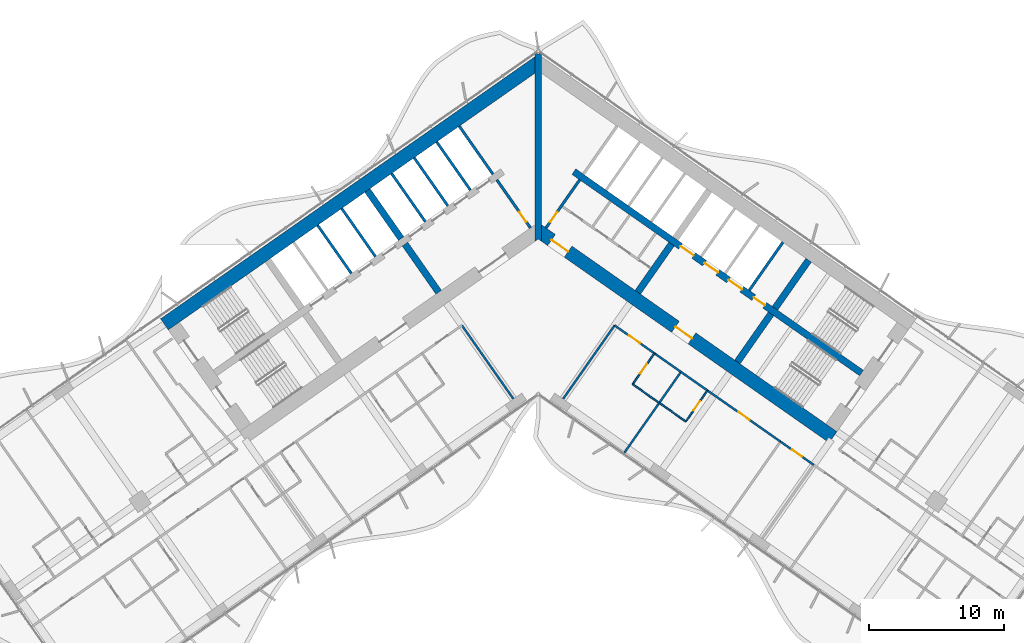
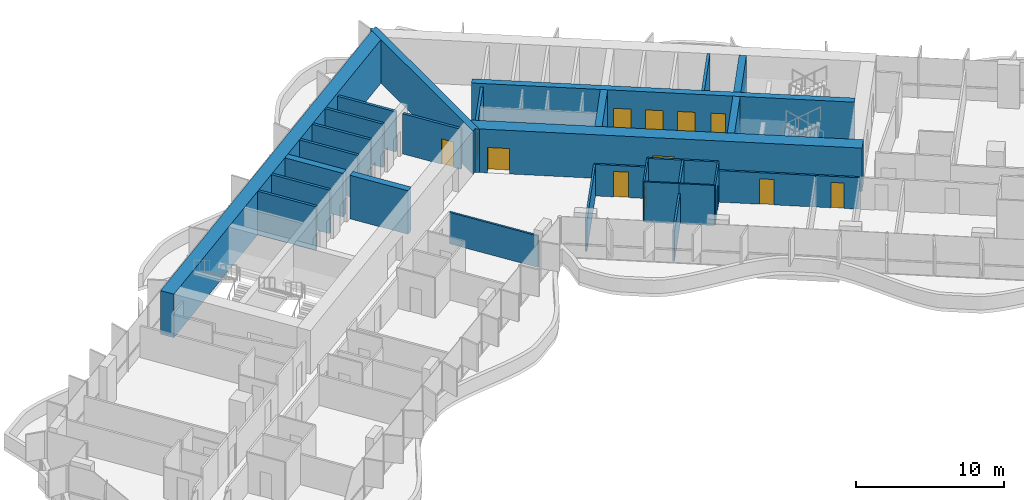
# One storey, part 14 of 23: 31 walls, 13 doors, 13 openings.
"""IFC4 building model written with IfcOpenShell, lengths in metres."""

from ifc_helpers import new_model, si_unit, direction, frame, frame_2d, origin, place, context, subcontext, project, spatial, polyline, rectangle, outline, extrude, material, layer, layer_set, type_object, element, fill, save


model = new_model("IFC4")

# Units and contexts
model_context = context("Model", 3, precision=1e-05, world=origin(), true_north=direction((0.0, 1.0)))
body_context = subcontext(model_context, "Body", "Model", "MODEL_VIEW")
ifc_project = project(units=[si_unit("LENGTHUNIT", "METRE"), si_unit("AREAUNIT", "SQUARE_METRE"), si_unit("VOLUMEUNIT", "CUBIC_METRE"), si_unit("PLANEANGLEUNIT", "RADIAN"), si_unit("MASSUNIT", "GRAM", prefix="KILO")], contexts=[model_context])

# Site, building, storey
site_placement = place(None, origin())
site = spatial("IfcSite", under=ifc_project, at=site_placement, CompositionType="ELEMENT")
building_placement = place(site_placement, origin())
building = spatial("IfcBuilding", under=site, at=building_placement, Name="Tel Ilan Convention Tower", CompositionType="ELEMENT")
storey_placement = place(building_placement, frame((0.0, 0.0, 86.89990234375)))
storey = spatial("IfcBuildingStorey", under=building, at=storey_placement, Name="L17", CompositionType="ELEMENT", Elevation=86.89990234375)

# Wall, opening, door
ifc_material_1 = material(Name="Concrete C30/37", Category="concrete")
ifc_layer_1 = layer(ifc_material_1, 0.199951171875)
ifc_layer_set_1 = layer_set([ifc_layer_1], Name="Core Service Room Wall 200 mm C30/37")
wall_type_1 = type_object("IfcWallType", Name="Core Service Room Wall 200 mm C30/37", PredefinedType="SOLIDWALL", material=ifc_layer_set_1)
wall_1_placement = place(storey_placement, frame((-0.573486328125, -0.401611328125, 0.0), z_axis=(0.0, 0.0, 1.0), x_axis=(-0.57356780395, 0.819158088694, 0.0)))
wall_1 = element("IfcWall", 1, at=wall_1_placement, inside=storey, type_object=wall_type_1, Name="L17 core wall apex-W", PredefinedType="SOLIDWALL", context=body_context, shape_type="SweptSolid", body=[
    extrude(rectangle(XDim=4.35009765625, YDim=0.199951171875, at=frame_2d((2.175048828125, 0.0))), origin(), (0.0, 0.0, 1.0), 3.320068359375),
])
opening_1_placement = place(wall_1_placement, frame((0.550048828125, 0.0, 0.0)))
opening_1 = element("IfcOpeningElement", 2, at=opening_1_placement, cuts=wall_1, Name="Opening CD1502", PredefinedType="OPENING", context=body_context, shape_type="SweptSolid", body=[
    extrude(rectangle(XDim=0.89990234375, YDim=2.10009765625, at=frame_2d((0.449951171875, 1.050048828125))), frame((0.0, 0.10986328125, 0.0), z_axis=(0.0, -1.0, 0.0), x_axis=(1.0, 0.0, 0.0)), (0.0, 0.0, 1.0), 0.219970703125),
])
ifc_material_2 = material(Name="Galvanised Steel Door Leaf", Category="steel")
door_type_1 = type_object("IfcDoorType", Name="Service Room Door 900 x 2100 FD60", OperationType="NOTDEFINED", PredefinedType="DOOR", material=ifc_material_2)
door_1_placement = place(opening_1_placement, origin())
door_1 = element("IfcDoor", 3, at=door_1_placement, inside=storey, type_object=door_type_1, Name="Telecom Room door", OperationType="SINGLE_SWING_RIGHT", OverallHeight=2.10009765625, OverallWidth=0.89990234375, PredefinedType="DOOR", context=body_context, shape_type="SweptSolid", body=[
    extrude(rectangle(XDim=0.89990234375, YDim=2.10009765625, at=frame_2d((0.449951171875, 1.050048828125))), frame((0.0, 0.02490234375, 0.0), z_axis=(0.0, -1.0, 0.0), x_axis=(1.0, 0.0, 0.0)), (0.0, 0.0, 1.0), 0.050048828125),
])
fill(opening_1, door_1)

# Wall
wall_2_placement = place(storey_placement, frame((-3.355224609375, 3.5712890625, 0.0), z_axis=(0.0, 0.0, 1.0), x_axis=(-0.57356780395, 0.819158088694, 0.0)))
element("IfcWall", 4, at=wall_2_placement, inside=storey, type_object=wall_type_1, Name="L17 core wall apex-W-b", PredefinedType="SOLIDWALL", context=body_context, shape_type="SweptSolid", body=[
    extrude(rectangle(XDim=4.35009765625, YDim=0.199951171875, at=frame_2d((2.175048828125, 0.0))), origin(), (0.0, 0.0, 1.0), 3.320068359375),
])

# Wall, opening, door
wall_3_placement = place(storey_placement, frame((0.573486328125, -0.401611328125, 0.0), z_axis=(0.0, 0.0, 1.0), x_axis=(0.57356780395, 0.819158088694, 0.0)))
wall_3 = element("IfcWall", 5, at=wall_3_placement, inside=storey, type_object=wall_type_1, Name="L17 core wall apex-E", PredefinedType="SOLIDWALL", context=body_context, shape_type="SweptSolid", body=[
    extrude(rectangle(XDim=4.35009765625, YDim=0.199951171875, at=frame_2d((2.175048828125, 0.0))), origin(), (0.0, 0.0, 1.0), 3.320068359375),
])
opening_2_placement = place(wall_3_placement, frame((0.550048828125, 0.0, 0.0)))
opening_2 = element("IfcOpeningElement", 6, at=opening_2_placement, cuts=wall_3, Name="Opening CD1501", PredefinedType="OPENING", context=body_context, shape_type="SweptSolid", body=[
    extrude(rectangle(XDim=0.89990234375, YDim=2.10009765625, at=frame_2d((0.449951171875, 1.050048828125))), frame((0.0, 0.10986328125, 0.0), z_axis=(0.0, -1.0, 0.0), x_axis=(1.0, 0.0, 0.0)), (0.0, 0.0, 1.0), 0.219970703125),
])
door_2_placement = place(opening_2_placement, origin())
door_2 = element("IfcDoor", 7, at=door_2_placement, inside=storey, type_object=door_type_1, Name="Data Room door", OperationType="SINGLE_SWING_RIGHT", OverallHeight=2.10009765625, OverallWidth=0.89990234375, PredefinedType="DOOR", context=body_context, shape_type="SweptSolid", body=[
    extrude(rectangle(XDim=0.89990234375, YDim=2.10009765625, at=frame_2d((0.449951171875, 1.050048828125))), frame((0.0, 0.02490234375, 0.0), z_axis=(0.0, -1.0, 0.0), x_axis=(1.0, 0.0, 0.0)), (0.0, 0.0, 1.0), 0.050048828125),
])
fill(opening_2, door_2)

# Wall
ifc_material_3 = material(Name="Concrete C60/75", Category="concrete")
ifc_layer_2 = layer(ifc_material_3, 1.0)
ifc_layer_set_2 = layer_set([ifc_layer_2], Name="Core Shear Wall 1000 mm C60/75")
wall_type_2 = type_object("IfcWallType", Name="Core Shear Wall 1000 mm C60/75", PredefinedType="SHEAR", material=ifc_layer_set_2)
wall_4_placement = place(storey_placement, frame((0.036865234375, 11.8671875, 0.0), z_axis=(0.0, 0.0, 1.0), x_axis=(-0.819155306259, -0.573571777746, 0.0)))
element("IfcWall", 8, at=wall_4_placement, inside=storey, type_object=wall_type_2, Name="L17 core wall W-back", PredefinedType="SHEAR", context=body_context, shape_type="SweptSolid", body=[
    extrude(outline(polyline([(33.8369140625, 0.5), (0.7001953125, 0.499755859375), (0.0, -0.5), (33.8369140625, -0.5), (33.8369140625, 0.5)])), origin(), (0.0, 0.0, 1.0), 3.60009765625),
])

# Wall, openings, doors
wall_5_placement = place(storey_placement, frame((-0.036865234375, -0.584716796875, 0.0), z_axis=(0.0, 0.0, 1.0), x_axis=(0.819157152511, -0.573569140985, 0.0)))
wall_5 = element("IfcWall", 9, at=wall_5_placement, inside=storey, type_object=wall_type_2, Name="L17 core wall E-front", PredefinedType="SHEAR", context=body_context, shape_type="SweptSolid", body=[
    extrude(outline(polyline([(26.69482421875, 0.499755859375), (0.0, 0.5), (0.7001953125, -0.499755859375), (26.69482421875, -0.500244140625), (26.69482421875, 0.499755859375)])), origin(), (0.0, 0.0, 1.0), 3.60009765625),
])
opening_3_placement = place(wall_5_placement, frame((1.244873046875, 0.0, 0.0)))
opening_3 = element("IfcOpeningElement", 10, at=opening_3_placement, cuts=wall_5, Name="Opening CD1503", PredefinedType="OPENING", context=body_context, shape_type="SweptSolid", body=[
    extrude(rectangle(XDim=1.5, YDim=2.10009765625, at=frame_2d((0.75, 1.050048828125))), frame((0.0, 0.510009765625, 0.0), z_axis=(0.0, -1.0, 0.0), x_axis=(1.0, 0.0, 0.0)), (0.0, 0.0, 1.0), 1.02001953125),
])
opening_4_placement = place(wall_5_placement, frame((12.44482421875, 0.0, 0.0)))
opening_4 = element("IfcOpeningElement", 11, at=opening_4_placement, cuts=wall_5, Name="Opening CD1504", PredefinedType="OPENING", context=body_context, shape_type="SweptSolid", body=[
    extrude(rectangle(XDim=1.5, YDim=2.10009765625, at=frame_2d((0.75, 1.050048828125))), frame((0.0, 0.510009765625, 0.0), z_axis=(0.0, -1.0, 0.0), x_axis=(1.0, 0.0, 0.0)), (0.0, 0.0, 1.0), 1.02001953125),
])
ifc_material_4 = material(Name="Glazed Aluminium Door Leaf", Category="aluminium")
door_type_2 = type_object("IfcDoorType", Name="Lobby Opening Door 1500 x 2100 FD60S", OperationType="NOTDEFINED", PredefinedType="DOOR", material=ifc_material_4)
door_3_placement = place(opening_4_placement, origin())
door_3 = element("IfcDoor", 12, at=door_3_placement, inside=storey, type_object=door_type_2, Name="Firefighting Lobby door", OperationType="DOUBLE_DOOR_SINGLE_SWING", OverallHeight=2.10009765625, OverallWidth=1.5, PredefinedType="DOOR", context=body_context, shape_type="SweptSolid", body=[
    extrude(rectangle(XDim=1.5, YDim=2.10009765625, at=frame_2d((0.75, 1.050048828125))), frame((0.0, 0.02490234375, 0.0), z_axis=(0.0, -1.0, 0.0), x_axis=(1.0, 0.0, 0.0)), (0.0, 0.0, 1.0), 0.050048828125),
])
fill(opening_4, door_3)
ifc_material_5 = material(Name="Laminated Timber Door Leaf", Category="wood")
door_type_3 = type_object("IfcDoorType", Name="Toilet Door 1500 x 2100 FD30S", OperationType="NOTDEFINED", PredefinedType="DOOR", material=ifc_material_5)
door_4_placement = place(opening_3_placement, origin())
door_4 = element("IfcDoor", 13, at=door_4_placement, inside=storey, type_object=door_type_3, Name="WC Lobby door", OperationType="SINGLE_SWING_RIGHT", OverallHeight=2.10009765625, OverallWidth=1.5, PredefinedType="DOOR", context=body_context, shape_type="SweptSolid", body=[
    extrude(rectangle(XDim=1.5, YDim=2.10009765625, at=frame_2d((0.75, 1.050048828125))), frame((0.0, 0.02490234375, 0.0), z_axis=(0.0, -1.0, 0.0), x_axis=(1.0, 0.0, 0.0)), (0.0, 0.0, 1.0), 0.050048828125),
])
fill(opening_3, door_4)

# Walls
ifc_material_6 = material(Name="Concrete C60/75", Category="concrete")
ifc_layer_3 = layer(ifc_material_6, 0.5)
ifc_layer_set_3 = layer_set([ifc_layer_3], Name="Core Shear Wall 500 mm C60/75")
wall_type_3 = type_object("IfcWallType", Name="Core Shear Wall 500 mm C60/75", PredefinedType="SHEAR", material=ifc_layer_set_3)
wall_6_placement = place(storey_placement, frame((-7.372314453125, -5.162109375, 0.0), z_axis=(0.0, 0.0, 1.0), x_axis=(-0.573594173421, 0.819139624372, 0.0)))
element("IfcWall", 14, at=wall_6_placement, inside=storey, type_object=wall_type_3, Name="L17 core wall W-cross1-1", PredefinedType="SHEAR", context=body_context, shape_type="SweptSolid", body=[
    extrude(outline(polyline([(4.349853515625, 0.25), (0.0, 0.250244140625), (0.0, -0.25), (4.349853515625, -0.25), (4.349853515625, 0.25)])), origin(), (0.0, 0.0, 1.0), 3.60009765625),
])
wall_7_placement = place(storey_placement, frame((-10.154296875, -1.189208984375, 0.0), z_axis=(0.0, 0.0, 1.0), x_axis=(-0.573594173421, 0.819139624372, 0.0)))
element("IfcWall", 15, at=wall_7_placement, inside=storey, type_object=wall_type_3, Name="L17 core wall W-cross1-2", PredefinedType="SHEAR", context=body_context, shape_type="SweptSolid", body=[
    extrude(outline(polyline([(4.349853515625, -0.25), (4.349853515625, 0.25), (-0.000244140625, 0.25), (-0.000244140625, -0.25), (4.349853515625, -0.25)])), origin(), (0.0, 0.0, 1.0), 3.60009765625),
])
wall_8_placement = place(storey_placement, frame((7.372314453125, -5.162109375, 0.0), z_axis=(0.0, 0.0, 1.0), x_axis=(0.573594173421, 0.819139624372, 0.0)))
element("IfcWall", 16, at=wall_8_placement, inside=storey, type_object=wall_type_3, Name="L17 core wall E-cross1-1", PredefinedType="SHEAR", context=body_context, shape_type="SweptSolid", body=[
    extrude(outline(polyline([(0.0, 0.25), (0.0, -0.250244140625), (4.349853515625, -0.25), (4.349853515625, 0.25), (0.0, 0.25)])), origin(), (0.0, 0.0, 1.0), 3.60009765625),
])
wall_9_placement = place(storey_placement, frame((14.74462890625, -10.324462890625, 0.0), z_axis=(0.0, 0.0, 1.0), x_axis=(0.57356780395, 0.819158088694, 0.0)))
element("IfcWall", 17, at=wall_9_placement, inside=storey, type_object=wall_type_3, Name="L17 core wall E-cross2-1", PredefinedType="SHEAR", context=body_context, shape_type="SweptSolid", body=[
    extrude(outline(polyline([(0.0, 0.25), (0.0, -0.25), (4.35009765625, -0.250244140625), (4.35009765625, 0.25), (0.0, 0.25)])), origin(), (0.0, 0.0, 1.0), 3.60009765625),
])
wall_10_placement = place(storey_placement, frame((17.526611328125, -6.3515625, 0.0), z_axis=(0.0, 0.0, 1.0), x_axis=(0.573530143085, 0.819184457233, 0.0)))
element("IfcWall", 18, at=wall_10_placement, inside=storey, type_object=wall_type_3, Name="L17 core wall E-cross2-2", PredefinedType="SHEAR", context=body_context, shape_type="SweptSolid", body=[
    extrude(outline(polyline([(4.35009765625, -0.250244140625), (4.35009765625, 0.249755859375), (0.0, 0.25), (0.0, -0.25), (4.35009765625, -0.250244140625)])), origin(), (0.0, 0.0, 1.0), 3.60009765625),
])

# Wall, openings, doors
wall_11_placement = place(storey_placement, frame((2.638427734375, 3.76806640625, 0.0), z_axis=(0.0, 0.0, 1.0), x_axis=(0.819148977158, -0.573580816643, 0.0)))
wall_11 = element("IfcWall", 19, at=wall_11_placement, inside=storey, type_object=wall_type_3, Name="L17 core wall E-spine", PredefinedType="SHEAR", context=body_context, shape_type="SweptSolid", body=[
    extrude(outline(polyline([(0.0, 0.25), (0.0, -0.25), (26.0, -0.249755859375), (26.0, 0.250244140625), (0.0, 0.25)])), origin(), (0.0, 0.0, 1.0), 3.60009765625),
])
opening_5_placement = place(wall_11_placement, frame((9.637451171875, 0.0, 0.0)))
opening_5 = element("IfcOpeningElement", 20, at=opening_5_placement, cuts=wall_11, Name="Opening LD1501", PredefinedType="OPENING", context=body_context, shape_type="SweptSolid", body=[
    extrude(rectangle(XDim=1.199951171875, YDim=2.10009765625, at=frame_2d((0.60009765625, 1.050048828125))), frame((0.0, 0.260009765625, 0.0), z_axis=(0.0, -1.0, 0.0), x_axis=(1.0, 0.0, 0.0)), (0.0, 0.0, 1.0), 0.52001953125),
])
opening_6_placement = place(wall_11_placement, frame((11.8125, 0.0, 0.0)))
opening_6 = element("IfcOpeningElement", 21, at=opening_6_placement, cuts=wall_11, Name="Opening LD1502", PredefinedType="OPENING", context=body_context, shape_type="SweptSolid", body=[
    extrude(rectangle(XDim=1.199951171875, YDim=2.10009765625, at=frame_2d((0.60009765625, 1.050048828125))), frame((0.0, 0.260009765625, 0.0), z_axis=(0.0, -1.0, 0.0), x_axis=(1.0, 0.0, 0.0)), (0.0, 0.0, 1.0), 0.52001953125),
])
opening_7_placement = place(wall_11_placement, frame((13.987548828125, 0.0, 0.0)))
opening_7 = element("IfcOpeningElement", 22, at=opening_7_placement, cuts=wall_11, Name="Opening LD1503", PredefinedType="OPENING", context=body_context, shape_type="SweptSolid", body=[
    extrude(rectangle(XDim=1.199951171875, YDim=2.10009765625, at=frame_2d((0.60009765625, 1.050048828125))), frame((0.0, 0.260009765625, 0.0), z_axis=(0.0, -1.0, 0.0), x_axis=(1.0, 0.0, 0.0)), (0.0, 0.0, 1.0), 0.52001953125),
])
opening_8_placement = place(wall_11_placement, frame((16.262451171875, 0.0, 0.0)))
opening_8 = element("IfcOpeningElement", 23, at=opening_8_placement, cuts=wall_11, Name="Opening CD1507", PredefinedType="OPENING", context=body_context, shape_type="SweptSolid", body=[
    extrude(rectangle(XDim=1.0, YDim=2.10009765625, at=frame_2d((0.5, 1.050048828125))), frame((0.0, 0.260009765625, 0.0), z_axis=(0.0, -1.0, 0.0), x_axis=(1.0, 0.0, 0.0)), (0.0, 0.0, 1.0), 0.52001953125),
])
ifc_material_7 = material(Name="Stainless Steel Sliding Door Leaf", Category="steel")
door_type_4 = type_object("IfcDoorType", Name="Lift Landing Door 1200 x 2100 FD120", OperationType="NOTDEFINED", PredefinedType="DOOR", material=ifc_material_7)
door_5_placement = place(opening_5_placement, origin())
door_5 = element("IfcDoor", 24, at=door_5_placement, inside=storey, type_object=door_type_4, Name="Lift FL1 landing door", OperationType="SLIDING_TO_LEFT", OverallHeight=2.10009765625, OverallWidth=1.199951171875, PredefinedType="DOOR", context=body_context, shape_type="SweptSolid", body=[
    extrude(rectangle(XDim=1.199951171875, YDim=2.10009765625, at=frame_2d((0.60009765625, 1.050048828125))), frame((0.0, 0.02490234375, 0.0), z_axis=(0.0, -1.0, 0.0), x_axis=(1.0, 0.0, 0.0)), (0.0, 0.0, 1.0), 0.050048828125),
])
fill(opening_5, door_5)
door_6_placement = place(opening_6_placement, origin())
door_6 = element("IfcDoor", 25, at=door_6_placement, inside=storey, type_object=door_type_4, Name="Lift FL2 landing door", OperationType="SLIDING_TO_RIGHT", OverallHeight=2.10009765625, OverallWidth=1.199951171875, PredefinedType="DOOR", context=body_context, shape_type="SweptSolid", body=[
    extrude(rectangle(XDim=1.199951171875, YDim=2.10009765625, at=frame_2d((0.60009765625, 1.050048828125))), frame((0.0, 0.02490234375, 0.0), z_axis=(0.0, -1.0, 0.0), x_axis=(1.0, 0.0, 0.0)), (0.0, 0.0, 1.0), 0.050048828125),
])
fill(opening_6, door_6)
door_7_placement = place(opening_7_placement, origin())
door_7 = element("IfcDoor", 26, at=door_7_placement, inside=storey, type_object=door_type_4, Name="Lift FL3 landing door", OperationType="SLIDING_TO_LEFT", OverallHeight=2.10009765625, OverallWidth=1.199951171875, PredefinedType="DOOR", context=body_context, shape_type="SweptSolid", body=[
    extrude(rectangle(XDim=1.199951171875, YDim=2.10009765625, at=frame_2d((0.60009765625, 1.050048828125))), frame((0.0, 0.02490234375, 0.0), z_axis=(0.0, -1.0, 0.0), x_axis=(1.0, 0.0, 0.0)), (0.0, 0.0, 1.0), 0.050048828125),
])
fill(opening_7, door_7)
ifc_material_8 = material(Name="Galvanised Steel Door Leaf", Category="steel")
door_type_5 = type_object("IfcDoorType", Name="Service Room Door 1000 x 2100 FD60", OperationType="NOTDEFINED", PredefinedType="DOOR", material=ifc_material_8)
door_8_placement = place(opening_8_placement, origin())
door_8 = element("IfcDoor", 27, at=door_8_placement, inside=storey, type_object=door_type_5, Name="Plant Room door", OperationType="SINGLE_SWING_RIGHT", OverallHeight=2.10009765625, OverallWidth=1.0, PredefinedType="DOOR", context=body_context, shape_type="SweptSolid", body=[
    extrude(rectangle(XDim=1.0, YDim=2.10009765625, at=frame_2d((0.5, 1.050048828125))), frame((0.0, 0.02490234375, 0.0), z_axis=(0.0, -1.0, 0.0), x_axis=(1.0, 0.0, 0.0)), (0.0, 0.0, 1.0), 0.050048828125),
])
fill(opening_8, door_8)

# Wall
wall_12_placement = place(storey_placement, frame((0.0, -1.395751953125, 0.0), z_axis=(0.0, 0.0, 1.0), x_axis=(0.0, 1.0, 0.0)))
element("IfcWall", 28, at=wall_12_placement, inside=storey, type_object=wall_type_3, Name="L17 core wall K-central", PredefinedType="SHEAR", context=body_context, shape_type="SweptSolid", body=[
    extrude(outline(polyline([(0.0, -0.25), (0.175048828125, -0.25), (1.220703125, -0.25), (12.451904296875, -0.25), (13.84765625, -0.25), (13.85693359375, -0.25), (13.96826171875, -0.172119140625), (13.84765625, 0.0), (13.96826171875, 0.172119140625), (13.85693359375, 0.25), (13.84765625, 0.25), (12.451904296875, 0.25), (1.220703125, 0.25), (0.175048828125, 0.25), (0.0, 0.25), (0.175048828125, 0.0), (0.0, -0.25)])), origin(), (0.0, 0.0, 1.0), 3.60009765625),
])

# Wall, opening, door
ifc_material_9 = material(Name="Plasterboard on Steel Studs", Category="steel")
ifc_layer_4 = layer(ifc_material_9, 0.14990234375)
ifc_layer_set_4 = layer_set([ifc_layer_4], Name="Fire-rated Partition 150 EI 60")
wall_type_4 = type_object("IfcWallType", Name="Fire-rated Partition 150 EI 60", PredefinedType="PARTITIONING", material=ifc_layer_set_4)
wall_13_placement = place(storey_placement, frame((8.601318359375, -9.68505859375, 0.0), z_axis=(0.0, 0.0, 1.0), x_axis=(-0.819149096931, 0.573580645591, 0.0)))
wall_13 = element("IfcWall", 29, at=wall_13_placement, inside=storey, type_object=wall_type_4, Name="Partition 007", PredefinedType="PARTITIONING", context=body_context, shape_type="SweptSolid", body=[
    extrude(rectangle(XDim=3.600830078125, YDim=0.14990234375, at=frame_2d((1.80029296875, 0.0))), origin(), (0.0, 0.0, 1.0), 2.60009765625),
])
opening_9_placement = place(wall_13_placement, frame((1.301025390625, 0.0, 0.0)))
opening_9 = element("IfcOpeningElement", 30, at=opening_9_placement, cuts=wall_13, Name="Opening L15-021", PredefinedType="OPENING", context=body_context, shape_type="SweptSolid", body=[
    extrude(rectangle(XDim=1.0, YDim=2.10009765625, at=frame_2d((0.5, 1.050048828125))), frame((0.0, 0.0849609375, 0.0), z_axis=(0.0, -1.0, 0.0), x_axis=(1.0, 0.0, 0.0)), (0.0, 0.0, 1.0), 0.169921875),
])
ifc_material_10 = material(Name="Timber Door Leaf in Steel Frame", Category="steel")
door_type_6 = type_object("IfcDoorType", Name="Hotel Room Entrance Fire Door 1000x2100", OperationType="NOTDEFINED", PredefinedType="DOOR", material=ifc_material_10)
door_9_placement = place(opening_9_placement, origin())
door_9 = element("IfcDoor", 31, at=door_9_placement, inside=storey, type_object=door_type_6, Name="Door L15-021", OperationType="SINGLE_SWING_LEFT", OverallHeight=2.10009765625, OverallWidth=1.0, PredefinedType="DOOR", context=body_context, shape_type="SweptSolid", body=[
    extrude(rectangle(XDim=1.0, YDim=2.10009765625, at=frame_2d((0.5, 1.050048828125))), frame((0.0, 0.02490234375, 0.0), z_axis=(0.0, -1.0, 0.0), x_axis=(1.0, 0.0, 0.0)), (0.0, 0.0, 1.0), 0.050048828125),
])
fill(opening_9, door_9)

# Wall
wall_14_placement = place(storey_placement, frame((10.568115234375, -11.062255859375, 0.0), z_axis=(0.0, 0.0, 1.0), x_axis=(-0.819146032251, 0.573585022335, 0.0)))
element("IfcWall", 32, at=wall_14_placement, inside=storey, type_object=wall_type_4, Name="Partition 008", PredefinedType="PARTITIONING", context=body_context, shape_type="SweptSolid", body=[
    extrude(rectangle(XDim=2.404052734375, YDim=0.14990234375, at=frame_2d((1.2021484375, 0.0))), origin(), (0.0, 0.0, 1.0), 3.320068359375),
])

# Wall, opening, door
wall_15_placement = place(storey_placement, frame((17.940673828125, -16.224365234375, 0.0), z_axis=(0.0, 0.0, 1.0), x_axis=(-0.819153746897, 0.573574004767, 0.0)))
wall_15 = element("IfcWall", 33, at=wall_15_placement, inside=storey, type_object=wall_type_4, Name="Partition 009", PredefinedType="PARTITIONING", context=body_context, shape_type="SweptSolid", body=[
    extrude(rectangle(XDim=6.60302734375, YDim=0.14990234375, at=frame_2d((3.301513671875, 0.0))), origin(), (0.0, 0.0, 1.0), 2.60009765625),
])
opening_10_placement = place(wall_15_placement, frame((2.802001953125, 0.0, 0.0)))
opening_10 = element("IfcOpeningElement", 34, at=opening_10_placement, cuts=wall_15, Name="Opening L15-023", PredefinedType="OPENING", context=body_context, shape_type="SweptSolid", body=[
    extrude(rectangle(XDim=1.0, YDim=2.10009765625, at=frame_2d((0.5, 1.050048828125))), frame((0.0, 0.0849609375, 0.0), z_axis=(0.0, -1.0, 0.0), x_axis=(1.0, 0.0, 0.0)), (0.0, 0.0, 1.0), 0.169921875),
])
door_10_placement = place(opening_10_placement, origin())
door_10 = element("IfcDoor", 35, at=door_10_placement, inside=storey, type_object=door_type_6, Name="Door L15-023", OperationType="SINGLE_SWING_RIGHT", OverallHeight=2.10009765625, OverallWidth=1.0, PredefinedType="DOOR", context=body_context, shape_type="SweptSolid", body=[
    extrude(rectangle(XDim=1.0, YDim=2.10009765625, at=frame_2d((0.5, 1.050048828125))), frame((0.0, 0.02490234375, 0.0), z_axis=(0.0, -1.0, 0.0), x_axis=(1.0, 0.0, 0.0)), (0.0, 0.0, 1.0), 0.050048828125),
])
fill(opening_10, door_10)

# Wall
wall_16_placement = place(storey_placement, frame((12.5341796875, -12.438720703125, 0.0), z_axis=(0.0, 0.0, 1.0), x_axis=(-0.819193748, 0.57351687267, 0.0)))
element("IfcWall", 36, at=wall_16_placement, inside=storey, type_object=wall_type_4, Name="Partition 010", PredefinedType="PARTITIONING", context=body_context, shape_type="SweptSolid", body=[
    extrude(rectangle(XDim=2.40380859375, YDim=0.14990234375, at=frame_2d((1.201904296875, 0.0))), origin(), (0.0, 0.0, 1.0), 3.320068359375),
])

# Wall, opening, door
wall_17_placement = place(storey_placement, frame((20.39794921875, -17.9453125, 0.0), z_axis=(0.0, 0.0, 1.0), x_axis=(-0.819128818764, 0.573609604409, 0.0)))
wall_17 = element("IfcWall", 37, at=wall_17_placement, inside=storey, type_object=wall_type_4, Name="Partition 011", PredefinedType="PARTITIONING", context=body_context, shape_type="SweptSolid", body=[
    extrude(rectangle(XDim=3.004150390625, YDim=0.14990234375, at=frame_2d((1.501953125, 0.0))), origin(), (0.0, 0.0, 1.0), 2.60009765625),
])
opening_11_placement = place(wall_17_placement, frame((1.052001953125, 0.0, 0.0)))
opening_11 = element("IfcOpeningElement", 38, at=opening_11_placement, cuts=wall_17, Name="Opening L15-024", PredefinedType="OPENING", context=body_context, shape_type="SweptSolid", body=[
    extrude(rectangle(XDim=0.89990234375, YDim=2.10009765625, at=frame_2d((0.449951171875, 1.050048828125))), frame((0.0, 0.0849609375, 0.0), z_axis=(0.0, -1.0, 0.0), x_axis=(1.0, 0.0, 0.0)), (0.0, 0.0, 1.0), 0.169921875),
])
ifc_material_11 = material(Name="Timber Door Leaf in Steel Frame", Category="steel")
door_type_7 = type_object("IfcDoorType", Name="Room Fire Door 900x2100", OperationType="NOTDEFINED", PredefinedType="DOOR", material=ifc_material_11)
door_11_placement = place(opening_11_placement, origin())
door_11 = element("IfcDoor", 39, at=door_11_placement, inside=storey, type_object=door_type_7, Name="Door L15-024", OperationType="SINGLE_SWING_LEFT", OverallHeight=2.10009765625, OverallWidth=0.89990234375, PredefinedType="DOOR", context=body_context, shape_type="SweptSolid", body=[
    extrude(rectangle(XDim=0.89990234375, YDim=2.10009765625, at=frame_2d((0.449951171875, 1.050048828125))), frame((0.0, 0.02490234375, 0.0), z_axis=(0.0, -1.0, 0.0), x_axis=(1.0, 0.0, 0.0)), (0.0, 0.0, 1.0), 0.050048828125),
])
fill(opening_11, door_11)

# Walls
wall_18_placement = place(storey_placement, frame((8.9599609375, -13.35546875, 0.0), z_axis=(0.0, 0.0, 1.0), x_axis=(-0.573564311442, -0.819160534108, 0.0)))
element("IfcWall", 40, at=wall_18_placement, inside=storey, type_object=wall_type_4, Name="Partition 050", PredefinedType="PARTITIONING", context=body_context, shape_type="SweptSolid", body=[
    extrude(rectangle(XDim=4.499267578125, YDim=0.14990234375, at=frame_2d((2.24951171875, 0.0))), origin(), (0.0, 0.0, 1.0), 2.5),
])
wall_19_placement = place(storey_placement, frame((1.848876953125, -13.050537109375, 0.0), z_axis=(0.0, 0.0, 1.0), x_axis=(0.57357355307, 0.819154063177, 0.0)))
element("IfcWall", 41, at=wall_19_placement, inside=storey, type_object=wall_type_4, Name="Partition 051", PredefinedType="PARTITIONING", context=body_context, shape_type="SweptSolid", body=[
    extrude(rectangle(XDim=6.6298828125, YDim=0.14990234375, at=frame_2d((3.31494140625, 0.0))), origin(), (0.0, 0.0, 1.0), 2.60009765625),
])
wall_20_placement = place(storey_placement, frame((10.566650390625, -11.06103515625, 0.0), z_axis=(0.0, 0.0, 1.0), x_axis=(-0.573608623498, -0.819129505664, 0.0)))
element("IfcWall", 42, at=wall_20_placement, inside=storey, type_object=wall_type_4, Name="Partition 052", PredefinedType="PARTITIONING", context=body_context, shape_type="SweptSolid", body=[
    extrude(rectangle(XDim=2.800048828125, YDim=0.14990234375, at=frame_2d((1.39990234375, 0.0))), origin(), (0.0, 0.0, 1.0), 3.320068359375),
])
wall_21_placement = place(storey_placement, frame((-1.848876953125, -13.050537109375, 0.0), z_axis=(0.0, 0.0, 1.0), x_axis=(-0.573575988258, 0.819152358047, 0.0)))
element("IfcWall", 43, at=wall_21_placement, inside=storey, type_object=wall_type_4, Name="Partition 064", PredefinedType="PARTITIONING", context=body_context, shape_type="SweptSolid", body=[
    extrude(rectangle(XDim=6.632080078125, YDim=0.14990234375, at=frame_2d((3.31591796875, 0.0))), origin(), (0.0, 0.0, 1.0), 2.60009765625),
])
ifc_material_12 = material(Name="Concrete C30/37", Category="concrete")
ifc_layer_5 = layer(ifc_material_12, 0.199951171875)
ifc_layer_set_5 = layer_set([ifc_layer_5], Name="Lift Shaft Wall 200 mm C30/37")
wall_type_5 = type_object("IfcWallType", Name="Lift Shaft Wall 200 mm C30/37", PredefinedType="SOLIDWALL", material=ifc_layer_set_5)
wall_22_placement = place(storey_placement, frame((-5.0244140625, 2.402587890625, 0.0), z_axis=(0.0, 0.0, 1.0), x_axis=(-0.573530143085, 0.819184457233, 0.0)))
element("IfcWall", 44, at=wall_22_placement, inside=storey, type_object=wall_type_5, Name="L17 core wall bank-W1-p0", PredefinedType="SOLIDWALL", context=body_context, shape_type="SweptSolid", body=[
    extrude(rectangle(XDim=4.35009765625, YDim=0.199951171875, at=frame_2d((2.175048828125, 0.0))), origin(), (0.0, 0.0, 1.0), 3.60009765625),
])
for number, where, z_axis, x_axis, name in (
    (45, (-6.693359375, 1.234130859375, 0.0), (0.0, 0.0, 1.0), (-0.573594173421, 0.819139624372, 0.0), "L17 core wall bank-W1-p1"),
    (46, (-8.3623046875, 0.0654296875, 0.0), (0.0, 0.0, 1.0), (-0.573594173421, 0.819139624372, 0.0), "L17 core wall bank-W1-p2"),
    (47, (-12.05859375, -2.52294921875, 0.0), (0.0, 0.0, 1.0), (-0.573594173421, 0.819139624372, 0.0), "L17 core wall bank-W2-p0"),
):
    element("IfcWall", number, at=place(storey_placement, frame(where, z_axis=z_axis, x_axis=x_axis)), inside=storey, type_object=wall_type_5, Name=name, PredefinedType="SOLIDWALL", context=body_context, shape_type="SweptSolid", body=[
        extrude(rectangle(XDim=4.349853515625, YDim=0.199951171875, at=frame_2d((2.1748046875, 0.0))), origin(), (0.0, 0.0, 1.0), 3.60009765625),
    ])
wall_23_placement = place(storey_placement, frame((-13.84033203125, -3.7705078125, 0.0), z_axis=(0.0, 0.0, 1.0), x_axis=(-0.57356780395, 0.819158088694, 0.0)))
element("IfcWall", 48, at=wall_23_placement, inside=storey, type_object=wall_type_5, Name="L17 core wall bank-W2-p1", PredefinedType="SOLIDWALL", context=body_context, shape_type="SweptSolid", body=[
    extrude(rectangle(XDim=4.35009765625, YDim=0.199951171875, at=frame_2d((2.175048828125, 0.0))), origin(), (0.0, 0.0, 1.0), 3.60009765625),
])
wall_24_placement = place(storey_placement, frame((15.6220703125, -5.017822265625, 0.0), z_axis=(0.0, 0.0, 1.0), x_axis=(0.573594173421, 0.819139624372, 0.0)))
element("IfcWall", 49, at=wall_24_placement, inside=storey, type_object=wall_type_5, Name="L17 core wall bank-E2-p2", PredefinedType="SOLIDWALL", context=body_context, shape_type="SweptSolid", body=[
    extrude(rectangle(XDim=4.349853515625, YDim=0.199951171875, at=frame_2d((2.1748046875, 0.0))), origin(), (0.0, 0.0, 1.0), 3.60009765625),
])

# Wall, opening, door
ifc_material_13 = material(Name="Plasterboard on Steel Studs", Category="steel")
ifc_layer_6 = layer(ifc_material_13, 0.1201171875)
ifc_layer_set_6 = layer_set([ifc_layer_6], Name="Moisture-resistant Partition 120")
wall_type_6 = type_object("IfcWallType", Name="Moisture-resistant Partition 120", PredefinedType="PARTITIONING", material=ifc_layer_set_6)
wall_25_placement = place(storey_placement, frame((8.599853515625, -9.683837890625, 0.0), z_axis=(0.0, 0.0, 1.0), x_axis=(-0.573550118428, -0.819170471667, 0.0)))
wall_25 = element("IfcWall", 50, at=wall_25_placement, inside=storey, type_object=wall_type_6, Name="Partition 048", PredefinedType="PARTITIONING", context=body_context, shape_type="SweptSolid", body=[
    extrude(rectangle(XDim=2.800048828125, YDim=0.1201171875, at=frame_2d((1.39990234375, 0.0))), origin(), (0.0, 0.0, 1.0), 3.320068359375),
])
opening_12_placement = place(wall_25_placement, frame((0.97509765625, 0.0, 0.0)))
opening_12 = element("IfcOpeningElement", 51, at=opening_12_placement, cuts=wall_25, Name="Opening L15-020", PredefinedType="OPENING", context=body_context, shape_type="SweptSolid", body=[
    extrude(rectangle(XDim=0.85009765625, YDim=2.050048828125, at=frame_2d((0.425048828125, 1.02490234375))), frame((0.0, 0.070068359375, 0.0), z_axis=(0.0, -1.0, 0.0), x_axis=(1.0, 0.0, 0.0)), (0.0, 0.0, 1.0), 0.14013671875),
])
ifc_material_14 = material(Name="Timber Door Leaf in Steel Frame", Category="steel")
door_type_8 = type_object("IfcDoorType", Name="Bathroom Timber Door 850x2050", OperationType="NOTDEFINED", PredefinedType="DOOR", material=ifc_material_14)
door_12_placement = place(opening_12_placement, origin())
door_12 = element("IfcDoor", 52, at=door_12_placement, inside=storey, type_object=door_type_8, Name="Door L15-020", OperationType="SINGLE_SWING_RIGHT", OverallHeight=2.050048828125, OverallWidth=0.85009765625, PredefinedType="DOOR", context=body_context, shape_type="SweptSolid", body=[
    extrude(rectangle(XDim=0.85009765625, YDim=2.050048828125, at=frame_2d((0.425048828125, 1.02490234375))), frame((0.0, 0.02490234375, 0.0), z_axis=(0.0, -1.0, 0.0), x_axis=(1.0, 0.0, 0.0)), (0.0, 0.0, 1.0), 0.050048828125),
])
fill(opening_12, door_12)

# Walls
for number, where, z_axis, x_axis, name in (
    (53, (6.993896484375, -11.97900390625, 0.0), (0.0, 0.0, 1.0), (0.819188907105, -0.573523787192, 0.0), "Partition 049"),
    (54, (8.9599609375, -13.35546875, 0.0), (0.0, 0.0, 1.0), (0.819107643868, -0.573639841501, 0.0), "Partition 053"),
):
    element("IfcWall", number, at=place(storey_placement, frame(where, z_axis=z_axis, x_axis=x_axis)), inside=storey, type_object=wall_type_6, Name=name, PredefinedType="PARTITIONING", context=body_context, shape_type="SweptSolid", body=[
        extrude(rectangle(XDim=2.39990234375, YDim=0.1201171875, at=frame_2d((1.199951171875, 0.0))), origin(), (0.0, 0.0, 1.0), 3.320068359375),
    ])

# Wall, opening, door
wall_26_placement = place(storey_placement, frame((10.92724609375, -14.73193359375, 0.0), z_axis=(0.0, 0.0, 1.0), x_axis=(0.573550118428, 0.819170471667, 0.0)))
wall_26 = element("IfcWall", 55, at=wall_26_placement, inside=storey, type_object=wall_type_6, Name="Partition 054", PredefinedType="PARTITIONING", context=body_context, shape_type="SweptSolid", body=[
    extrude(rectangle(XDim=2.800048828125, YDim=0.1201171875, at=frame_2d((1.39990234375, 0.0))), origin(), (0.0, 0.0, 1.0), 3.320068359375),
])
opening_13_placement = place(wall_26_placement, frame((0.97509765625, 0.0, 0.0)))
opening_13 = element("IfcOpeningElement", 56, at=opening_13_placement, cuts=wall_26, Name="Opening L15-022", PredefinedType="OPENING", context=body_context, shape_type="SweptSolid", body=[
    extrude(rectangle(XDim=0.85009765625, YDim=2.050048828125, at=frame_2d((0.425048828125, 1.02490234375))), frame((0.0, 0.070068359375, 0.0), z_axis=(0.0, -1.0, 0.0), x_axis=(1.0, 0.0, 0.0)), (0.0, 0.0, 1.0), 0.14013671875),
])
door_13_placement = place(opening_13_placement, origin())
door_13 = element("IfcDoor", 57, at=door_13_placement, inside=storey, type_object=door_type_8, Name="Door L15-022", OperationType="SINGLE_SWING_RIGHT", OverallHeight=2.050048828125, OverallWidth=0.85009765625, PredefinedType="DOOR", context=body_context, shape_type="SweptSolid", body=[
    extrude(rectangle(XDim=0.85009765625, YDim=2.050048828125, at=frame_2d((0.425048828125, 1.02490234375))), frame((0.0, 0.02490234375, 0.0), z_axis=(0.0, -1.0, 0.0), x_axis=(1.0, 0.0, 0.0)), (0.0, 0.0, 1.0), 0.050048828125),
])
fill(opening_13, door_13)

save(model, "model.ifc")
